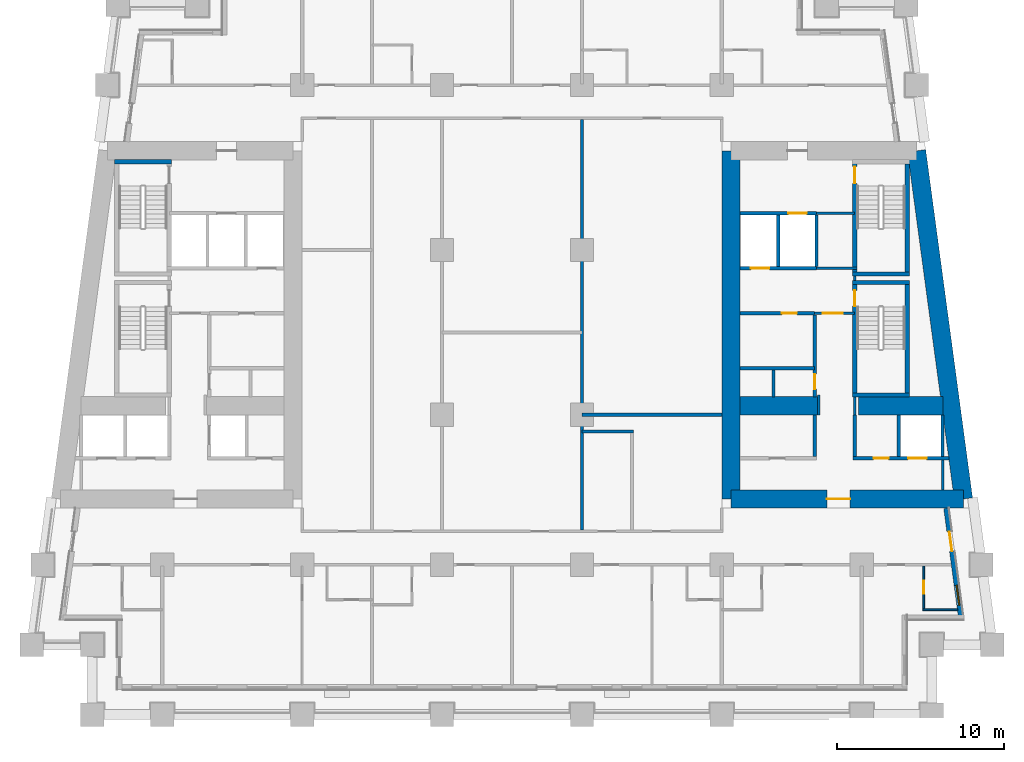
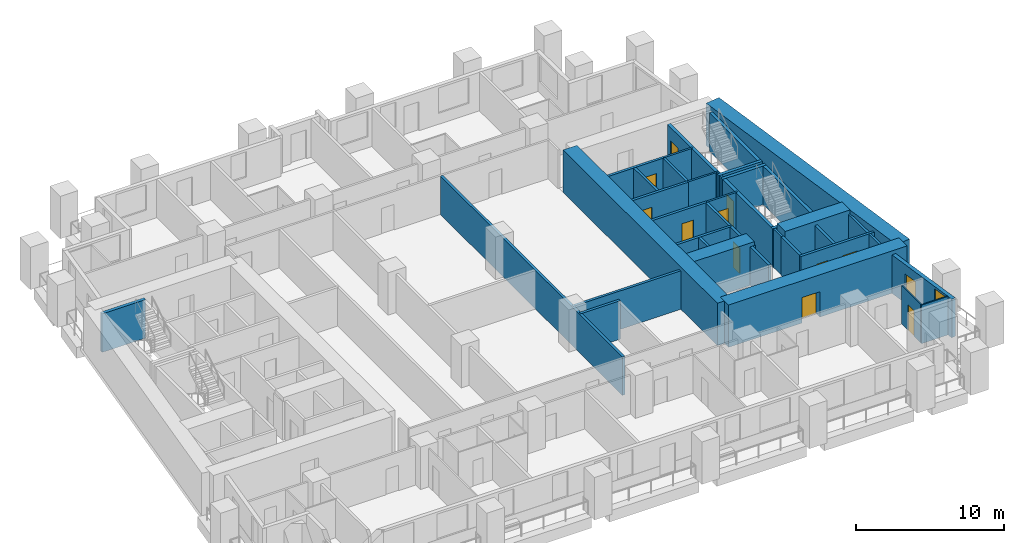
# One storey, part 5 of 12: 39 walls, 12 doors, 1 window, 13 openings.
"""IFC4 building model written with IfcOpenShell, lengths in metres."""

from ifc_helpers import new_model, si_unit, direction, frame, frame_2d, origin, place, context, subcontext, project, spatial, rectangle, extrude, material, layer, layer_set, type_object, element, fill, save


model = new_model("IFC4")

# Units and contexts
model_context = context("Model", 3, precision=1e-05, world=origin(), true_north=direction((0.0, 1.0)))
body_context = subcontext(model_context, "Body", "Model", "MODEL_VIEW")
ifc_project = project(units=[si_unit("LENGTHUNIT", "METRE"), si_unit("AREAUNIT", "SQUARE_METRE"), si_unit("VOLUMEUNIT", "CUBIC_METRE"), si_unit("PLANEANGLEUNIT", "RADIAN"), si_unit("MASSUNIT", "GRAM", prefix="KILO")], contexts=[model_context])

# Site, building, storey
site_placement = place(None, origin())
site = spatial("IfcSite", under=ifc_project, at=site_placement, CompositionType="ELEMENT")
building_placement = place(site_placement, origin())
building = spatial("IfcBuilding", under=site, at=building_placement, Name="Candeia Pilgrim Tower and Theatre", CompositionType="ELEMENT")
storey_placement = place(building_placement, frame((0.0, 0.0, 74.0)))
storey = spatial("IfcBuildingStorey", under=building, at=storey_placement, Name="L16", CompositionType="ELEMENT", Elevation=74.0)

# Wall
ifc_material_1 = material(Name="Concrete C80/95", Category="concrete")
ifc_layer_1 = layer(ifc_material_1, 1.10009765625)
ifc_layer_set_1 = layer_set([ifc_layer_1], Name="Core wall 1100 C80/95")
wall_type_1 = type_object("IfcWallType", Name="Core wall 1100 C80/95", PredefinedType="SHEAR", material=ifc_layer_set_1)
wall_1_placement = place(storey_placement, frame((137.688232421875, 131.85009765625, 0.0), z_axis=(0.0, 0.0, 1.0), x_axis=(0.133411793472, -0.991060691059, 0.0)))
element("IfcWall", 1, at=wall_1_placement, inside=storey, type_object=wall_type_1, Name="Core wall E2", PredefinedType="SHEAR", context=body_context, shape_type="SweptSolid", body=[
    extrude(rectangle(XDim=21.088623046875, YDim=1.10009765625, at=frame_2d((10.54443359375, 0.0))), origin(), (0.0, 0.0, 1.0), 3.5),
])

# Wall, opening, door
wall_2_placement = place(storey_placement, frame((140.501708984375, 110.949951171875, 0.0), z_axis=(0.0, 0.0, 1.0), x_axis=(-1.0, 0.0, 0.0)))
wall_2 = element("IfcWall", 2, at=wall_2_placement, inside=storey, type_object=wall_type_1, Name="Core wall E3", PredefinedType="SHEAR", context=body_context, shape_type="SweptSolid", body=[
    extrude(rectangle(XDim=13.95166015625, YDim=1.10009765625, at=frame_2d((6.975830078125, 0.0))), origin(), (0.0, 0.0, 1.0), 3.5),
])
opening_1_placement = place(wall_2_placement, frame((6.80419921875, 0.0, 0.0)))
opening_1 = element("IfcOpeningElement", 3, at=opening_1_placement, cuts=wall_2, Name="Opening L16-D048", PredefinedType="OPENING", context=body_context, shape_type="SweptSolid", body=[
    extrude(rectangle(XDim=1.39990234375, YDim=2.10009765625, at=frame_2d((0.699951171875, 1.050048828125))), frame((0.0, 0.56005859375, 0.0), z_axis=(0.0, -1.0, 0.0), x_axis=(1.0, 0.0, 0.0)), (0.0, 0.0, 1.0), 1.1201171875),
])
ifc_material_2 = material(Name="Steel fire door set", Category="steel")
door_type_1 = type_object("IfcDoorType", Name="D-1400-FD60", OperationType="NOTDEFINED", PredefinedType="DOOR", material=ifc_material_2)
door_1_placement = place(opening_1_placement, origin())
door_1 = element("IfcDoor", 4, at=door_1_placement, inside=storey, type_object=door_type_1, Name="Door L16-D048", OperationType="SINGLE_SWING_RIGHT", OverallHeight=2.10009765625, OverallWidth=1.39990234375, PredefinedType="DOOR", context=body_context, shape_type="SweptSolid", body=[
    extrude(rectangle(XDim=1.39990234375, YDim=2.10009765625, at=frame_2d((0.699951171875, 1.050048828125))), frame((0.0, 0.02490234375, 0.0), z_axis=(0.0, -1.0, 0.0), x_axis=(1.0, 0.0, 0.0)), (0.0, 0.0, 1.0), 0.050048828125),
])
fill(opening_1, door_1)

# Walls
wall_3_placement = place(storey_placement, frame((126.550048828125, 110.949951171875, 0.0), z_axis=(0.0, 0.0, 1.0), x_axis=(0.0, 1.0, 0.0)))
element("IfcWall", 5, at=wall_3_placement, inside=storey, type_object=wall_type_1, Name="Core wall E4", PredefinedType="SHEAR", context=body_context, shape_type="SweptSolid", body=[
    extrude(rectangle(XDim=20.900146484375, YDim=1.10009765625, at=frame_2d((10.4501953125, 0.0))), origin(), (0.0, 0.0, 1.0), 3.5),
])
wall_4_placement = place(storey_placement, frame((127.10009765625, 116.550048828125, 0.0), z_axis=(0.0, 0.0, 1.0), x_axis=(1.0, 0.0, 0.0)))
element("IfcWall", 6, at=wall_4_placement, inside=storey, type_object=wall_type_1, Name="Core wall E5", PredefinedType="SHEAR", context=body_context, shape_type="SweptSolid", body=[
    extrude(rectangle(XDim=4.699951171875, YDim=1.10009765625, at=frame_2d((2.35009765625, 0.0))), origin(), (0.0, 0.0, 1.0), 3.5),
])
wall_5_placement = place(storey_placement, frame((134.199951171875, 116.550048828125, 0.0), z_axis=(0.0, 0.0, 1.0), x_axis=(1.0, 0.0, 0.0)))
element("IfcWall", 7, at=wall_5_placement, inside=storey, type_object=wall_type_1, Name="Core wall E6", PredefinedType="SHEAR", context=body_context, shape_type="SweptSolid", body=[
    extrude(rectangle(XDim=5.076904296875, YDim=1.10009765625, at=frame_2d((2.53857421875, 0.0))), origin(), (0.0, 0.0, 1.0), 3.5),
])

# Wall, openings, door, window
ifc_material_3 = material(Name="Ceramic block masonry", Category="masonry")
ifc_layer_2 = layer(ifc_material_3, 0.300048828125)
ifc_layer_set_2 = layer_set([ifc_layer_2], Name="EW1 glazing-line wall 300")
wall_type_2 = type_object("IfcWallType", Name="EW1 glazing-line wall 300", PredefinedType="SOLIDWALL", material=ifc_layer_set_2)
wall_6_placement = place(storey_placement, frame((140.34765625, 103.85009765625, 0.0), z_axis=(0.0, 0.0, 1.0), x_axis=(-0.133431549479, 0.991058031401, 0.0)))
wall_6 = element("IfcWall", 8, at=wall_6_placement, inside=storey, type_object=wall_type_2, Name="External wall L16-3.0", PredefinedType="SOLIDWALL", context=body_context, shape_type="SweptSolid", body=[
    extrude(rectangle(XDim=6.60888671875, YDim=0.300048828125, at=frame_2d((3.304443359375, 0.0))), origin(), (0.0, 0.0, 1.0), 3.179931640625),
])
opening_2_placement = place(wall_6_placement, frame((0.736572265625, 0.0, 0.89990234375)))
opening_2 = element("IfcOpeningElement", 9, at=opening_2_placement, cuts=wall_6, Name="Opening W-B", PredefinedType="OPENING", context=body_context, shape_type="SweptSolid", body=[
    extrude(rectangle(XDim=1.199951171875, YDim=2.10009765625, at=frame_2d((0.60009765625, 1.050048828125))), frame((0.0, 0.16015625, 0.0), z_axis=(0.0, -1.0, 0.0), x_axis=(1.0, 0.0, 0.0)), (0.0, 0.0, 1.0), 0.320068359375),
])
opening_3_placement = place(wall_6_placement, frame((3.990966796875, 0.0, 0.0)))
opening_3 = element("IfcOpeningElement", 10, at=opening_3_placement, cuts=wall_6, Name="Opening L16-ED176", PredefinedType="OPENING", context=body_context, shape_type="SweptSolid", body=[
    extrude(rectangle(XDim=1.199951171875, YDim=2.39990234375, at=frame_2d((0.60009765625, 1.199951171875))), frame((0.0, 0.16015625, 0.0), z_axis=(0.0, -1.0, 0.0), x_axis=(1.0, 0.0, 0.0)), (0.0, 0.0, 1.0), 0.320068359375),
])
ifc_material_4 = material(Name="Aluminium framed glazed door", Category="aluminium")
door_type_2 = type_object("IfcDoorType", Name="Loggia door 1200x2400", OperationType="DOUBLE_DOOR_SINGLE_SWING", PredefinedType="DOOR", material=ifc_material_4)
door_2_placement = place(opening_3_placement, origin())
door_2 = element("IfcDoor", 11, at=door_2_placement, inside=storey, type_object=door_type_2, Name="Loggia door L16-ED176", OperationType="DOUBLE_DOOR_SINGLE_SWING", OverallHeight=2.39990234375, OverallWidth=1.199951171875, PredefinedType="DOOR", context=body_context, shape_type="SweptSolid", body=[
    extrude(rectangle(XDim=1.199951171875, YDim=2.39990234375, at=frame_2d((0.60009765625, 1.199951171875))), frame((0.0, 0.02490234375, 0.0), z_axis=(0.0, -1.0, 0.0), x_axis=(1.0, 0.0, 0.0)), (0.0, 0.0, 1.0), 0.050048828125),
])
fill(opening_3, door_2)
ifc_material_5 = material(Name="Aluminium framed double glazing", Category="aluminium")
window_type = type_object("IfcWindowType", Name="W-B window 1200x2100", PartitioningType="SINGLE_PANEL", PredefinedType="WINDOW", material=ifc_material_5)
window_placement = place(opening_2_placement, origin())
window = element("IfcWindow", 12, at=window_placement, inside=storey, type_object=window_type, Name="Window W-B L16", OverallHeight=2.10009765625, OverallWidth=1.199951171875, PartitioningType="SINGLE_PANEL", PredefinedType="WINDOW", context=body_context, shape_type="SweptSolid", body=[
    extrude(rectangle(XDim=1.199951171875, YDim=2.10009765625, at=frame_2d((0.60009765625, 1.050048828125))), frame((0.0, 0.030029296875, 0.0), z_axis=(0.0, -1.0, 0.0), x_axis=(1.0, 0.0, 0.0)), (0.0, 0.0, 1.0), 0.06005859375),
])
fill(opening_2, window)

# Wall
ifc_material_6 = material(Name="Gypsum board partition on steel studs", Category="steel")
ifc_layer_3 = layer(ifc_material_6, 0.10009765625)
ifc_layer_set_3 = layer_set([ifc_layer_3], Name="PW-100 room partition")
wall_type_3 = type_object("IfcWallType", Name="PW-100 room partition", PredefinedType="PARTITIONING", material=ifc_layer_set_3)
wall_7_placement = place(storey_placement, frame((138.070068359375, 104.300048828125, 0.0), z_axis=(0.0, 0.0, 1.0), x_axis=(1.0, 0.0, 0.0)))
element("IfcWall", 13, at=wall_7_placement, inside=storey, type_object=wall_type_3, Name="Room partition L16-003", PredefinedType="PARTITIONING", context=body_context, shape_type="SweptSolid", body=[
    extrude(rectangle(XDim=2.07568359375, YDim=0.10009765625, at=frame_2d((1.037841796875, 0.0))), origin(), (0.0, 0.0, 1.0), 3.179931640625),
])

# Wall, opening, door
wall_8_placement = place(storey_placement, frame((138.1201171875, 104.35009765625, 0.0), z_axis=(0.0, 0.0, 1.0), x_axis=(0.0, 1.0, 0.0)))
wall_8 = element("IfcWall", 14, at=wall_8_placement, inside=storey, type_object=wall_type_3, Name="Room partition L16-103", PredefinedType="PARTITIONING", context=body_context, shape_type="SweptSolid", body=[
    extrude(rectangle(XDim=2.574951171875, YDim=0.10009765625, at=frame_2d((1.28759765625, 0.0))), origin(), (0.0, 0.0, 1.0), 3.179931640625),
])
opening_4_placement = place(wall_8_placement, frame((0.89990234375, 0.0, 0.0)))
opening_4 = element("IfcOpeningElement", 15, at=opening_4_placement, cuts=wall_8, Name="Opening L16-D027", PredefinedType="OPENING", context=body_context, shape_type="SweptSolid", body=[
    extrude(rectangle(XDim=0.800048828125, YDim=2.10009765625, at=frame_2d((0.39990234375, 1.050048828125))), frame((0.0, 0.06005859375, 0.0), z_axis=(0.0, -1.0, 0.0), x_axis=(1.0, 0.0, 0.0)), (0.0, 0.0, 1.0), 0.1201171875),
])
ifc_material_7 = material(Name="Timber door leaf", Category="wood")
door_type_3 = type_object("IfcDoorType", Name="D-800", OperationType="NOTDEFINED", PredefinedType="DOOR", material=ifc_material_7)
door_3_placement = place(opening_4_placement, origin())
door_3 = element("IfcDoor", 16, at=door_3_placement, inside=storey, type_object=door_type_3, Name="Door L16-D027", OperationType="SINGLE_SWING_LEFT", OverallHeight=2.10009765625, OverallWidth=0.800048828125, PredefinedType="DOOR", context=body_context, shape_type="SweptSolid", body=[
    extrude(rectangle(XDim=0.800048828125, YDim=2.10009765625, at=frame_2d((0.39990234375, 1.050048828125))), frame((0.0, 0.02490234375, 0.0), z_axis=(0.0, -1.0, 0.0), x_axis=(1.0, 0.0, 0.0)), (0.0, 0.0, 1.0), 0.050048828125),
])
fill(opening_4, door_3)

ifc_layer_4 = layer(ifc_material_6, 0.14990234375)
ifc_layer_set_4 = layer_set([ifc_layer_4], Name="PW-150 lobby wall")
wall_type_4 = type_object("IfcWallType", Name="PW-150 lobby wall", PredefinedType="PARTITIONING", material=ifc_layer_set_4)
wall_9_placement = place(storey_placement, frame((131.572998046875, 122.10009765625, 0.0), z_axis=(0.0, 0.0, 1.0), x_axis=(1.0, 0.0, 0.0)))
wall_9 = element("IfcWall", 17, at=wall_9_placement, inside=storey, type_object=wall_type_4, Name="Lobby wall L16-023", PredefinedType="PARTITIONING", context=body_context, shape_type="SweptSolid", body=[
    extrude(rectangle(XDim=2.39990234375, YDim=0.14990234375, at=frame_2d((1.199951171875, 0.0))), origin(), (0.0, 0.0, 1.0), 3.179931640625),
])
opening_5_placement = place(wall_9_placement, frame((0.47509765625, 0.0, 0.0)))
opening_5 = element("IfcOpeningElement", 18, at=opening_5_placement, cuts=wall_9, Name="Opening L16-D007", PredefinedType="OPENING", context=body_context, shape_type="SweptSolid", body=[
    extrude(rectangle(XDim=1.199951171875, YDim=2.10009765625, at=frame_2d((0.60009765625, 1.050048828125))), frame((0.0, 0.0849609375, 0.0), z_axis=(0.0, -1.0, 0.0), x_axis=(1.0, 0.0, 0.0)), (0.0, 0.0, 1.0), 0.169921875),
])
door_type_4 = type_object("IfcDoorType", Name="D-1200-FD60", OperationType="NOTDEFINED", PredefinedType="DOOR", material=ifc_material_2)
door_4_placement = place(opening_5_placement, origin())
door_4 = element("IfcDoor", 19, at=door_4_placement, inside=storey, type_object=door_type_4, Name="Door L16-D007", OperationType="SINGLE_SWING_RIGHT", OverallHeight=2.10009765625, OverallWidth=1.199951171875, PredefinedType="DOOR", context=body_context, shape_type="SweptSolid", body=[
    extrude(rectangle(XDim=1.199951171875, YDim=2.10009765625, at=frame_2d((0.60009765625, 1.050048828125))), frame((0.0, 0.02490234375, 0.0), z_axis=(0.0, -1.0, 0.0), x_axis=(1.0, 0.0, 0.0)), (0.0, 0.0, 1.0), 0.050048828125),
])
fill(opening_5, door_4)

# Walls
wall_10_placement = place(storey_placement, frame((131.681884765625, 124.800048828125, 0.0), z_axis=(0.0, 0.0, 1.0), x_axis=(1.0, 0.0, 0.0)))
element("IfcWall", 20, at=wall_10_placement, inside=storey, type_object=wall_type_4, Name="Lobby wall L16-030", PredefinedType="PARTITIONING", context=body_context, shape_type="SweptSolid", body=[
    extrude(rectangle(XDim=2.416015625, YDim=0.14990234375, at=frame_2d((1.2080078125, 0.0))), origin(), (0.0, 0.0, 1.0), 3.179931640625),
])
wall_11_placement = place(storey_placement, frame((131.681884765625, 128.10009765625, 0.0), z_axis=(0.0, 0.0, 1.0), x_axis=(1.0, 0.0, 0.0)))
element("IfcWall", 21, at=wall_11_placement, inside=storey, type_object=wall_type_4, Name="Lobby wall L16-034", PredefinedType="PARTITIONING", context=body_context, shape_type="SweptSolid", body=[
    extrude(rectangle(XDim=2.291015625, YDim=0.14990234375, at=frame_2d((1.1455078125, 0.0))), origin(), (0.0, 0.0, 1.0), 3.179931640625),
])
wall_12_placement = place(storey_placement, frame((131.800048828125, 116.0, 0.0), z_axis=(0.0, 0.0, 1.0), x_axis=(0.0, 1.0, 0.0)))
element("IfcWall", 22, at=wall_12_placement, inside=storey, type_object=wall_type_4, Name="Lobby wall L16-093", PredefinedType="PARTITIONING", context=body_context, shape_type="SweptSolid", body=[
    extrude(rectangle(XDim=1.199951171875, YDim=0.14990234375, at=frame_2d((0.60009765625, 0.0))), origin(), (0.0, 0.0, 1.0), 3.179931640625),
])
wall_13_placement = place(storey_placement, frame((133.972900390625, 116.0, 0.0), z_axis=(0.0, 0.0, 1.0), x_axis=(0.0, 1.0, 0.0)))
element("IfcWall", 23, at=wall_13_placement, inside=storey, type_object=wall_type_4, Name="Lobby wall L16-095", PredefinedType="PARTITIONING", context=body_context, shape_type="SweptSolid", body=[
    extrude(rectangle(XDim=1.070068359375, YDim=0.14990234375, at=frame_2d((0.53515625, 0.0))), origin(), (0.0, 0.0, 1.0), 3.179931640625),
])
wall_14_placement = place(storey_placement, frame((133.972900390625, 124.074951171875, 0.0), z_axis=(0.0, 0.0, 1.0), x_axis=(0.0, 1.0, 0.0)))
element("IfcWall", 24, at=wall_14_placement, inside=storey, type_object=wall_type_4, Name="Lobby wall L16-096", PredefinedType="PARTITIONING", context=body_context, shape_type="SweptSolid", body=[
    extrude(rectangle(XDim=0.25, YDim=0.14990234375, at=frame_2d((0.125, 0.0))), origin(), (0.0, 0.0, 1.0), 3.179931640625),
])
wall_15_placement = place(storey_placement, frame((139.27001953125, 111.5, 0.0), z_axis=(0.0, 0.0, 1.0), x_axis=(0.0, 1.0, 0.0)))
element("IfcWall", 25, at=wall_15_placement, inside=storey, type_object=wall_type_4, Name="Lobby wall L16-105", PredefinedType="PARTITIONING", context=body_context, shape_type="SweptSolid", body=[
    extrude(rectangle(XDim=1.800048828125, YDim=0.14990234375, at=frame_2d((0.89990234375, 0.0))), origin(), (0.0, 0.0, 1.0), 3.179931640625),
])
ifc_layer_5 = layer(ifc_material_6, 0.199951171875)
ifc_layer_set_5 = layer_set([ifc_layer_5], Name="PW-200 party wall")
wall_type_5 = type_object("IfcWallType", Name="PW-200 party wall", PredefinedType="PARTITIONING", material=ifc_layer_set_5)
wall_16_placement = place(storey_placement, frame((117.60009765625, 115.0, 0.0), z_axis=(0.0, 0.0, 1.0), x_axis=(1.0, 0.0, 0.0)))
element("IfcWall", 26, at=wall_16_placement, inside=storey, type_object=wall_type_5, Name="Party wall L16-013", PredefinedType="PARTITIONING", context=body_context, shape_type="SweptSolid", body=[
    extrude(rectangle(XDim=3.099853515625, YDim=0.199951171875, at=frame_2d((1.5498046875, 0.0))), origin(), (0.0, 0.0, 1.0), 3.179931640625),
])
wall_17_placement = place(storey_placement, frame((117.60009765625, 116.0, 0.0), z_axis=(0.0, 0.0, 1.0), x_axis=(1.0, 0.0, 0.0)))
element("IfcWall", 27, at=wall_17_placement, inside=storey, type_object=wall_type_5, Name="Party wall L16-014", PredefinedType="PARTITIONING", context=body_context, shape_type="SweptSolid", body=[
    extrude(rectangle(XDim=8.39990234375, YDim=0.199951171875, at=frame_2d((4.199951171875, 0.0))), origin(), (0.0, 0.0, 1.0), 3.179931640625),
])
wall_18_placement = place(storey_placement, frame((117.60009765625, 109.074951171875, 0.0), z_axis=(0.0, 0.0, 1.0), x_axis=(0.0, 1.0, 0.0)))
element("IfcWall", 28, at=wall_18_placement, inside=storey, type_object=wall_type_5, Name="Party wall L16-076", PredefinedType="PARTITIONING", context=body_context, shape_type="SweptSolid", body=[
    extrude(rectangle(XDim=24.650146484375, YDim=0.199951171875, at=frame_2d((12.3251953125, 0.0))), origin(), (0.0, 0.0, 1.0), 3.179931640625),
])

# Wall, openings, doors
ifc_material_8 = material(Name="Concrete C40/50", Category="concrete")
ifc_layer_6 = layer(ifc_material_8, 0.199951171875)
ifc_layer_set_6 = layer_set([ifc_layer_6], Name="SW-200 shaft wall")
wall_type_6 = type_object("IfcWallType", Name="SW-200 shaft wall", PredefinedType="PARTITIONING", material=ifc_layer_set_6)
wall_19_placement = place(storey_placement, frame((133.873046875, 113.39990234375, 0.0), z_axis=(0.0, 0.0, 1.0), x_axis=(1.0, 0.0, 0.0)))
wall_19 = element("IfcWall", 29, at=wall_19_placement, inside=storey, type_object=wall_type_6, Name="Shaft wall L16-012", PredefinedType="PARTITIONING", context=body_context, shape_type="SweptSolid", body=[
    extrude(rectangle(XDim=5.77392578125, YDim=0.199951171875, at=frame_2d((2.886962890625, 0.0))), origin(), (0.0, 0.0, 1.0), 3.179931640625),
])
opening_6_placement = place(wall_19_placement, frame((3.31103515625, 0.0, 0.0)))
opening_6 = element("IfcOpeningElement", 30, at=opening_6_placement, cuts=wall_19, Name="Opening L16-LD08", PredefinedType="OPENING", context=body_context, shape_type="SweptSolid", body=[
    extrude(rectangle(XDim=1.10009765625, YDim=2.10009765625, at=frame_2d((0.550048828125, 1.050048828125))), frame((0.0, 0.10986328125, 0.0), z_axis=(0.0, -1.0, 0.0), x_axis=(1.0, 0.0, 0.0)), (0.0, 0.0, 1.0), 0.219970703125),
])
opening_7_placement = place(wall_19_placement, frame((1.236083984375, 0.0, 0.0)))
opening_7 = element("IfcOpeningElement", 31, at=opening_7_placement, cuts=wall_19, Name="Opening L16-D012", PredefinedType="OPENING", context=body_context, shape_type="SweptSolid", body=[
    extrude(rectangle(XDim=0.89990234375, YDim=2.10009765625, at=frame_2d((0.449951171875, 1.050048828125))), frame((0.0, 0.10986328125, 0.0), z_axis=(0.0, -1.0, 0.0), x_axis=(1.0, 0.0, 0.0)), (0.0, 0.0, 1.0), 0.219970703125),
])
door_type_5 = type_object("IfcDoorType", Name="D-900-FD60", OperationType="NOTDEFINED", PredefinedType="DOOR", material=ifc_material_2)
door_5_placement = place(opening_7_placement, origin())
door_5 = element("IfcDoor", 32, at=door_5_placement, inside=storey, type_object=door_type_5, Name="Door L16-D012", OperationType="SINGLE_SWING_RIGHT", OverallHeight=2.10009765625, OverallWidth=0.89990234375, PredefinedType="DOOR", context=body_context, shape_type="SweptSolid", body=[
    extrude(rectangle(XDim=0.89990234375, YDim=2.10009765625, at=frame_2d((0.449951171875, 1.050048828125))), frame((0.0, 0.02490234375, 0.0), z_axis=(0.0, -1.0, 0.0), x_axis=(1.0, 0.0, 0.0)), (0.0, 0.0, 1.0), 0.050048828125),
])
fill(opening_7, door_5)
ifc_material_9 = material(Name="Glazed aluminium landing door", Category="aluminium")
door_type_6 = type_object("IfcDoorType", Name="LD-1100-EI120", OperationType="SLIDING_TO_LEFT", PredefinedType="DOOR", material=ifc_material_9)
door_6_placement = place(opening_6_placement, origin())
door_6 = element("IfcDoor", 33, at=door_6_placement, inside=storey, type_object=door_type_6, Name="Landing door 08 L16", OperationType="SLIDING_TO_LEFT", OverallHeight=2.10009765625, OverallWidth=1.10009765625, PredefinedType="DOOR", context=body_context, shape_type="SweptSolid", body=[
    extrude(rectangle(XDim=1.10009765625, YDim=2.10009765625, at=frame_2d((0.550048828125, 1.050048828125))), frame((0.0, 0.02490234375, 0.0), z_axis=(0.0, -1.0, 0.0), x_axis=(1.0, 0.0, 0.0)), (0.0, 0.0, 1.0), 0.050048828125),
])
fill(opening_6, door_6)

# Wall
wall_20_placement = place(storey_placement, frame((127.10009765625, 118.800048828125, 0.0), z_axis=(0.0, 0.0, 1.0), x_axis=(1.0, 0.0, 0.0)))
element("IfcWall", 34, at=wall_20_placement, inside=storey, type_object=wall_type_6, Name="Shaft wall L16-018", PredefinedType="PARTITIONING", context=body_context, shape_type="SweptSolid", body=[
    extrude(rectangle(XDim=4.472900390625, YDim=0.199951171875, at=frame_2d((2.236328125, 0.0))), origin(), (0.0, 0.0, 1.0), 3.179931640625),
])

# Wall, opening, door
wall_21_placement = place(storey_placement, frame((127.10009765625, 122.10009765625, 0.0), z_axis=(0.0, 0.0, 1.0), x_axis=(1.0, 0.0, 0.0)))
wall_21 = element("IfcWall", 35, at=wall_21_placement, inside=storey, type_object=wall_type_6, Name="Shaft wall L16-021", PredefinedType="PARTITIONING", context=body_context, shape_type="SweptSolid", body=[
    extrude(rectangle(XDim=4.472900390625, YDim=0.199951171875, at=frame_2d((2.236328125, 0.0))), origin(), (0.0, 0.0, 1.0), 3.179931640625),
])
opening_8_placement = place(wall_21_placement, frame((2.5048828125, 0.0, 0.0)))
opening_8 = element("IfcOpeningElement", 36, at=opening_8_placement, cuts=wall_21, Name="Opening L16-D008", PredefinedType="OPENING", context=body_context, shape_type="SweptSolid", body=[
    extrude(rectangle(XDim=0.89990234375, YDim=2.10009765625, at=frame_2d((0.449951171875, 1.050048828125))), frame((0.0, 0.10986328125, 0.0), z_axis=(0.0, -1.0, 0.0), x_axis=(1.0, 0.0, 0.0)), (0.0, 0.0, 1.0), 0.219970703125),
])
door_7_placement = place(opening_8_placement, origin())
door_7 = element("IfcDoor", 37, at=door_7_placement, inside=storey, type_object=door_type_5, Name="Door L16-D008", OperationType="SINGLE_SWING_LEFT", OverallHeight=2.10009765625, OverallWidth=0.89990234375, PredefinedType="DOOR", context=body_context, shape_type="SweptSolid", body=[
    extrude(rectangle(XDim=0.89990234375, YDim=2.10009765625, at=frame_2d((0.449951171875, 1.050048828125))), frame((0.0, 0.02490234375, 0.0), z_axis=(0.0, -1.0, 0.0), x_axis=(1.0, 0.0, 0.0)), (0.0, 0.0, 1.0), 0.050048828125),
])
fill(opening_8, door_7)

wall_22_placement = place(storey_placement, frame((127.10009765625, 124.800048828125, 0.0), z_axis=(0.0, 0.0, 1.0), x_axis=(1.0, 0.0, 0.0)))
wall_22 = element("IfcWall", 38, at=wall_22_placement, inside=storey, type_object=wall_type_6, Name="Shaft wall L16-029", PredefinedType="PARTITIONING", context=body_context, shape_type="SweptSolid", body=[
    extrude(rectangle(XDim=4.581787109375, YDim=0.199951171875, at=frame_2d((2.291015625, 0.0))), origin(), (0.0, 0.0, 1.0), 3.179931640625),
])
opening_9_placement = place(wall_22_placement, frame((0.64501953125, 0.0, 0.0)))
opening_9 = element("IfcOpeningElement", 39, at=opening_9_placement, cuts=wall_22, Name="Opening L16-LD07", PredefinedType="OPENING", context=body_context, shape_type="SweptSolid", body=[
    extrude(rectangle(XDim=1.10009765625, YDim=2.10009765625, at=frame_2d((0.550048828125, 1.050048828125))), frame((0.0, 0.10986328125, 0.0), z_axis=(0.0, -1.0, 0.0), x_axis=(1.0, 0.0, 0.0)), (0.0, 0.0, 1.0), 0.219970703125),
])
door_8_placement = place(opening_9_placement, origin())
door_8 = element("IfcDoor", 40, at=door_8_placement, inside=storey, type_object=door_type_6, Name="Landing door 07 L16", OperationType="SLIDING_TO_LEFT", OverallHeight=2.10009765625, OverallWidth=1.10009765625, PredefinedType="DOOR", context=body_context, shape_type="SweptSolid", body=[
    extrude(rectangle(XDim=1.10009765625, YDim=2.10009765625, at=frame_2d((0.550048828125, 1.050048828125))), frame((0.0, 0.02490234375, 0.0), z_axis=(0.0, -1.0, 0.0), x_axis=(1.0, 0.0, 0.0)), (0.0, 0.0, 1.0), 0.050048828125),
])
fill(opening_9, door_8)

wall_23_placement = place(storey_placement, frame((127.10009765625, 128.10009765625, 0.0), z_axis=(0.0, 0.0, 1.0), x_axis=(1.0, 0.0, 0.0)))
wall_23 = element("IfcWall", 41, at=wall_23_placement, inside=storey, type_object=wall_type_6, Name="Shaft wall L16-033", PredefinedType="PARTITIONING", context=body_context, shape_type="SweptSolid", body=[
    extrude(rectangle(XDim=4.581787109375, YDim=0.199951171875, at=frame_2d((2.291015625, 0.0))), origin(), (0.0, 0.0, 1.0), 3.179931640625),
])
opening_10_placement = place(wall_23_placement, frame((2.885986328125, 0.0, 0.0)))
opening_10 = element("IfcOpeningElement", 42, at=opening_10_placement, cuts=wall_23, Name="Opening L16-LD06", PredefinedType="OPENING", context=body_context, shape_type="SweptSolid", body=[
    extrude(rectangle(XDim=1.10009765625, YDim=2.10009765625, at=frame_2d((0.550048828125, 1.050048828125))), frame((0.0, 0.10986328125, 0.0), z_axis=(0.0, -1.0, 0.0), x_axis=(1.0, 0.0, 0.0)), (0.0, 0.0, 1.0), 0.219970703125),
])
door_9_placement = place(opening_10_placement, origin())
door_9 = element("IfcDoor", 43, at=door_9_placement, inside=storey, type_object=door_type_6, Name="Landing door 06 L16", OperationType="SLIDING_TO_LEFT", OverallHeight=2.10009765625, OverallWidth=1.10009765625, PredefinedType="DOOR", context=body_context, shape_type="SweptSolid", body=[
    extrude(rectangle(XDim=1.10009765625, YDim=2.10009765625, at=frame_2d((0.550048828125, 1.050048828125))), frame((0.0, 0.02490234375, 0.0), z_axis=(0.0, -1.0, 0.0), x_axis=(1.0, 0.0, 0.0)), (0.0, 0.0, 1.0), 0.050048828125),
])
fill(opening_10, door_9)

# Walls
wall_24_placement = place(storey_placement, frame((129.10009765625, 117.070068359375, 0.0), z_axis=(0.0, 0.0, 1.0), x_axis=(0.0, 1.0, 0.0)))
element("IfcWall", 44, at=wall_24_placement, inside=storey, type_object=wall_type_6, Name="Shaft wall L16-088", PredefinedType="PARTITIONING", context=body_context, shape_type="SweptSolid", body=[
    extrude(rectangle(XDim=1.6298828125, YDim=0.199951171875, at=frame_2d((0.81494140625, 0.0))), origin(), (0.0, 0.0, 1.0), 3.179931640625),
])
wall_25_placement = place(storey_placement, frame((129.39111328125, 124.89990234375, 0.0), z_axis=(0.0, 0.0, 1.0), x_axis=(0.0, 1.0, 0.0)))
element("IfcWall", 45, at=wall_25_placement, inside=storey, type_object=wall_type_6, Name="Shaft wall L16-089", PredefinedType="PARTITIONING", context=body_context, shape_type="SweptSolid", body=[
    extrude(rectangle(XDim=3.10009765625, YDim=0.199951171875, at=frame_2d((1.550048828125, 0.0))), origin(), (0.0, 0.0, 1.0), 3.179931640625),
])
wall_26_placement = place(storey_placement, frame((131.572998046875, 113.5, 0.0), z_axis=(0.0, 0.0, 1.0), x_axis=(0.0, 1.0, 0.0)))
element("IfcWall", 46, at=wall_26_placement, inside=storey, type_object=wall_type_6, Name="Shaft wall L16-090", PredefinedType="PARTITIONING", context=body_context, shape_type="SweptSolid", body=[
    extrude(rectangle(XDim=2.5, YDim=0.199951171875, at=frame_2d((1.25, 0.0))), origin(), (0.0, 0.0, 1.0), 3.179931640625),
])

# Wall, opening, door
wall_27_placement = place(storey_placement, frame((131.572998046875, 117.070068359375, 0.0), z_axis=(0.0, 0.0, 1.0), x_axis=(0.0, 1.0, 0.0)))
wall_27 = element("IfcWall", 47, at=wall_27_placement, inside=storey, type_object=wall_type_6, Name="Shaft wall L16-091", PredefinedType="PARTITIONING", context=body_context, shape_type="SweptSolid", body=[
    extrude(rectangle(XDim=4.929931640625, YDim=0.199951171875, at=frame_2d((2.46484375, 0.0))), origin(), (0.0, 0.0, 1.0), 3.179931640625),
])
opening_11_placement = place(wall_27_placement, frame((0.47998046875, 0.0, 0.0)))
opening_11 = element("IfcOpeningElement", 48, at=opening_11_placement, cuts=wall_27, Name="Opening L16-D011", PredefinedType="OPENING", context=body_context, shape_type="SweptSolid", body=[
    extrude(rectangle(XDim=0.89990234375, YDim=2.10009765625, at=frame_2d((0.449951171875, 1.050048828125))), frame((0.0, 0.10986328125, 0.0), z_axis=(0.0, -1.0, 0.0), x_axis=(1.0, 0.0, 0.0)), (0.0, 0.0, 1.0), 0.219970703125),
])
door_10_placement = place(opening_11_placement, origin())
door_10 = element("IfcDoor", 49, at=door_10_placement, inside=storey, type_object=door_type_5, Name="Door L16-D011", OperationType="SINGLE_SWING_RIGHT", OverallHeight=2.10009765625, OverallWidth=0.89990234375, PredefinedType="DOOR", context=body_context, shape_type="SweptSolid", body=[
    extrude(rectangle(XDim=0.89990234375, YDim=2.10009765625, at=frame_2d((0.449951171875, 1.050048828125))), frame((0.0, 0.02490234375, 0.0), z_axis=(0.0, -1.0, 0.0), x_axis=(1.0, 0.0, 0.0)), (0.0, 0.0, 1.0), 0.050048828125),
])
fill(opening_11, door_10)

# Walls
wall_28_placement = place(storey_placement, frame((131.681884765625, 124.89990234375, 0.0), z_axis=(0.0, 0.0, 1.0), x_axis=(0.0, 1.0, 0.0)))
element("IfcWall", 50, at=wall_28_placement, inside=storey, type_object=wall_type_6, Name="Shaft wall L16-092", PredefinedType="PARTITIONING", context=body_context, shape_type="SweptSolid", body=[
    extrude(rectangle(XDim=3.10009765625, YDim=0.199951171875, at=frame_2d((1.550048828125, 0.0))), origin(), (0.0, 0.0, 1.0), 3.179931640625),
])
for number, where, z_axis, x_axis, name in (
    (51, (133.972900390625, 113.5, 0.0), (0.0, 0.0, 1.0), (0.0, 1.0, 0.0), "Shaft wall L16-094"),
    (52, (136.62158203125, 113.5, 0.0), (0.0, 0.0, 1.0), (0.0, 1.0, 0.0), "Shaft wall L16-100"),
    (53, (139.247802734375, 113.5, 0.0), (0.0, 0.0, 1.0), (0.0, 1.0, 0.0), "Shaft wall L16-104"),
):
    element("IfcWall", number, at=place(storey_placement, frame(where, z_axis=z_axis, x_axis=x_axis)), inside=storey, type_object=wall_type_6, Name=name, PredefinedType="PARTITIONING", context=body_context, shape_type="SweptSolid", body=[
        extrude(rectangle(XDim=2.5, YDim=0.199951171875, at=frame_2d((1.25, 0.0))), origin(), (0.0, 0.0, 1.0), 3.179931640625),
    ])
ifc_layer_7 = layer(ifc_material_8, 0.25)
ifc_layer_set_7 = layer_set([ifc_layer_7], Name="SW-250 stair wall")
wall_type_7 = type_object("IfcWallType", Name="SW-250 stair wall", PredefinedType="PARTITIONING", material=ifc_layer_set_7)
for number, where, z_axis, x_axis, name in (
    (54, (133.847900390625, 117.199951171875, 0.0), (0.0, 0.0, 1.0), (1.0, 0.0, 0.0), "Stair wall L16-016"),
    (55, (133.847900390625, 123.949951171875, 0.0), (0.0, 0.0, 1.0), (1.0, 0.0, 0.0), "Stair wall L16-025"),
    (56, (133.847900390625, 124.449951171875, 0.0), (0.0, 0.0, 1.0), (1.0, 0.0, 0.0), "Stair wall L16-027"),
):
    element("IfcWall", number, at=place(storey_placement, frame(where, z_axis=z_axis, x_axis=x_axis)), inside=storey, type_object=wall_type_7, Name=name, PredefinedType="PARTITIONING", context=body_context, shape_type="SweptSolid", body=[
        extrude(rectangle(XDim=3.400146484375, YDim=0.25, at=frame_2d((1.7001953125, 0.0))), origin(), (0.0, 0.0, 1.0), 3.179931640625),
    ])
wall_29_placement = place(storey_placement, frame((89.552001953125, 131.199951171875, 0.0), z_axis=(0.0, 0.0, 1.0), x_axis=(1.0, 0.0, 0.0)))
element("IfcWall", 57, at=wall_29_placement, inside=storey, type_object=wall_type_7, Name="Stair wall L16-035", PredefinedType="PARTITIONING", context=body_context, shape_type="SweptSolid", body=[
    extrude(rectangle(XDim=3.39990234375, YDim=0.25, at=frame_2d((1.699951171875, 0.0))), origin(), (0.0, 0.0, 1.0), 3.179931640625),
])

# Wall, opening, door
wall_30_placement = place(storey_placement, frame((133.972900390625, 117.070068359375, 0.0), z_axis=(0.0, 0.0, 1.0), x_axis=(0.0, 1.0, 0.0)))
wall_30 = element("IfcWall", 58, at=wall_30_placement, inside=storey, type_object=wall_type_7, Name="Stair wall L16-097", PredefinedType="PARTITIONING", context=body_context, shape_type="SweptSolid", body=[
    extrude(rectangle(XDim=6.7548828125, YDim=0.25, at=frame_2d((3.37744140625, 0.0))), origin(), (0.0, 0.0, 1.0), 3.179931640625),
])
opening_12_placement = place(wall_30_placement, frame((5.455078125, 0.0, 0.0)))
opening_12 = element("IfcOpeningElement", 59, at=opening_12_placement, cuts=wall_30, Name="Opening L16-D009", PredefinedType="OPENING", context=body_context, shape_type="SweptSolid", body=[
    extrude(rectangle(XDim=0.949951171875, YDim=2.10009765625, at=frame_2d((0.47509765625, 1.050048828125))), frame((0.0, 0.135009765625, 0.0), z_axis=(0.0, -1.0, 0.0), x_axis=(1.0, 0.0, 0.0)), (0.0, 0.0, 1.0), 0.27001953125),
])
door_type_7 = type_object("IfcDoorType", Name="D-950-FD60", OperationType="NOTDEFINED", PredefinedType="DOOR", material=ifc_material_2)
door_11_placement = place(opening_12_placement, origin())
door_11 = element("IfcDoor", 60, at=door_11_placement, inside=storey, type_object=door_type_7, Name="Door L16-D009", OperationType="SINGLE_SWING_RIGHT", OverallHeight=2.10009765625, OverallWidth=0.949951171875, PredefinedType="DOOR", context=body_context, shape_type="SweptSolid", body=[
    extrude(rectangle(XDim=0.949951171875, YDim=2.10009765625, at=frame_2d((0.47509765625, 1.050048828125))), frame((0.0, 0.02490234375, 0.0), z_axis=(0.0, -1.0, 0.0), x_axis=(1.0, 0.0, 0.0)), (0.0, 0.0, 1.0), 0.050048828125),
])
fill(opening_12, door_11)

wall_31_placement = place(storey_placement, frame((133.972900390625, 124.574951171875, 0.0), z_axis=(0.0, 0.0, 1.0), x_axis=(0.0, 1.0, 0.0)))
wall_31 = element("IfcWall", 61, at=wall_31_placement, inside=storey, type_object=wall_type_7, Name="Stair wall L16-098", PredefinedType="PARTITIONING", context=body_context, shape_type="SweptSolid", body=[
    extrude(rectangle(XDim=6.755126953125, YDim=0.25, at=frame_2d((3.37744140625, 0.0))), origin(), (0.0, 0.0, 1.0), 3.179931640625),
])
opening_13_placement = place(wall_31_placement, frame((5.324951171875, 0.0, 0.0)))
opening_13 = element("IfcOpeningElement", 62, at=opening_13_placement, cuts=wall_31, Name="Opening L16-D010", PredefinedType="OPENING", context=body_context, shape_type="SweptSolid", body=[
    extrude(rectangle(XDim=1.0, YDim=2.10009765625, at=frame_2d((0.5, 1.050048828125))), frame((0.0, 0.135009765625, 0.0), z_axis=(0.0, -1.0, 0.0), x_axis=(1.0, 0.0, 0.0)), (0.0, 0.0, 1.0), 0.27001953125),
])
door_type_8 = type_object("IfcDoorType", Name="D-1000-FD60", OperationType="NOTDEFINED", PredefinedType="DOOR", material=ifc_material_2)
door_12_placement = place(opening_13_placement, origin())
door_12 = element("IfcDoor", 63, at=door_12_placement, inside=storey, type_object=door_type_8, Name="Door L16-D010", OperationType="SINGLE_SWING_LEFT", OverallHeight=2.10009765625, OverallWidth=1.0, PredefinedType="DOOR", context=body_context, shape_type="SweptSolid", body=[
    extrude(rectangle(XDim=1.0, YDim=2.10009765625, at=frame_2d((0.5, 1.050048828125))), frame((0.0, 0.02490234375, 0.0), z_axis=(0.0, -1.0, 0.0), x_axis=(1.0, 0.0, 0.0)), (0.0, 0.0, 1.0), 0.050048828125),
])
fill(opening_13, door_12)

# Walls
wall_32_placement = place(storey_placement, frame((137.123046875, 117.070068359375, 0.0), z_axis=(0.0, 0.0, 1.0), x_axis=(0.0, 1.0, 0.0)))
element("IfcWall", 64, at=wall_32_placement, inside=storey, type_object=wall_type_7, Name="Stair wall L16-101", PredefinedType="PARTITIONING", context=body_context, shape_type="SweptSolid", body=[
    extrude(rectangle(XDim=6.7548828125, YDim=0.25, at=frame_2d((3.37744140625, 0.0))), origin(), (0.0, 0.0, 1.0), 3.179931640625),
])
wall_33_placement = place(storey_placement, frame((137.123046875, 124.574951171875, 0.0), z_axis=(0.0, 0.0, 1.0), x_axis=(0.0, 1.0, 0.0)))
element("IfcWall", 65, at=wall_33_placement, inside=storey, type_object=wall_type_7, Name="Stair wall L16-102", PredefinedType="PARTITIONING", context=body_context, shape_type="SweptSolid", body=[
    extrude(rectangle(XDim=6.5, YDim=0.25, at=frame_2d((3.25, 0.0))), origin(), (0.0, 0.0, 1.0), 3.179931640625),
])

save(model, "model.ifc")
